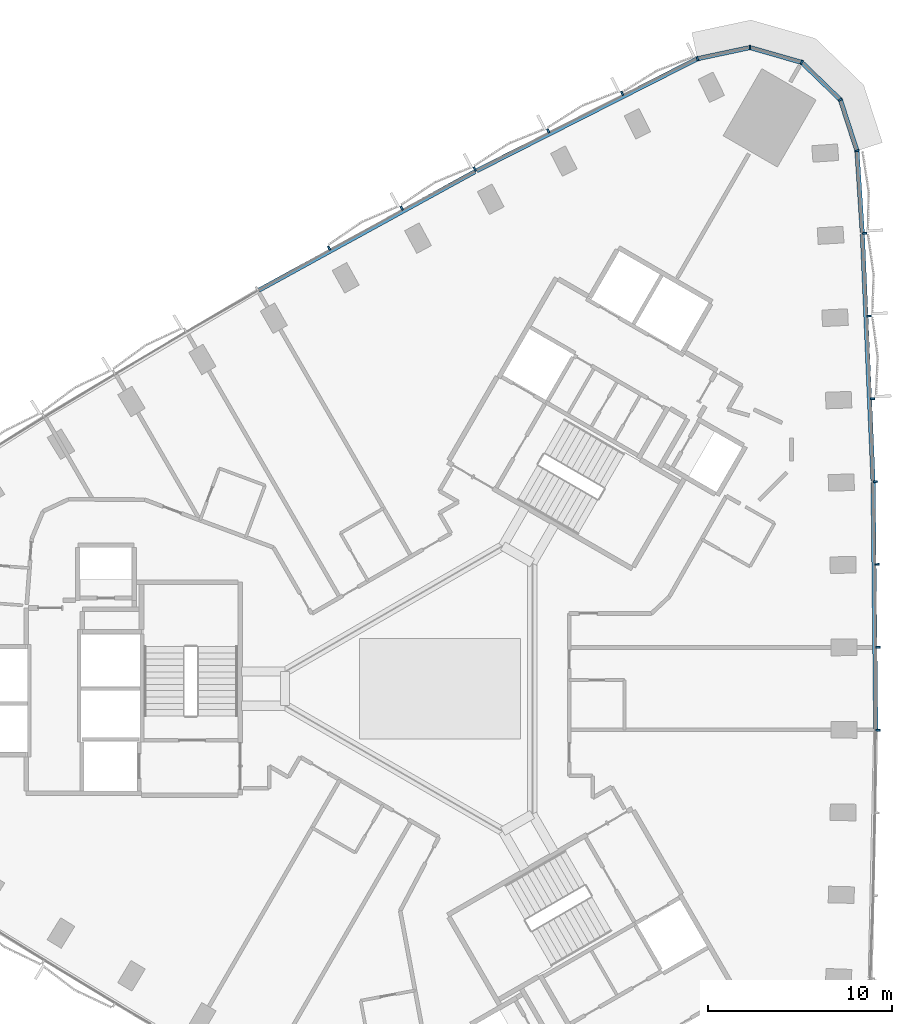
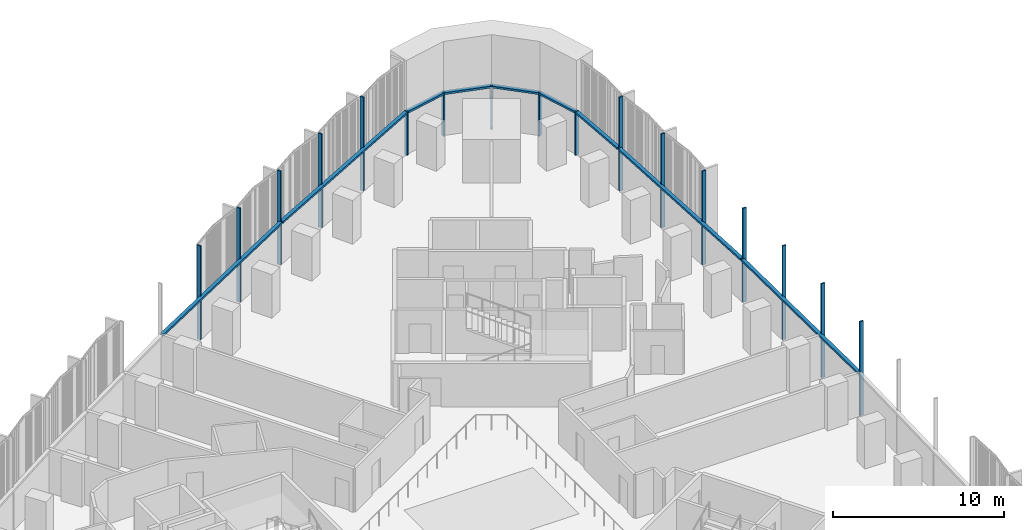
# One storey, part 5 of 15: 26 members, 2 elements without a shape of their own.
"""IFC4 building model written with IfcOpenShell, lengths in metres."""

from ifc_helpers import new_model, si_unit, direction, frame, origin, origin_2d, place, context, subcontext, project, spatial, rectangle, extrude, material, material_profile, profile_set, type_object, element, aggregate, save


model = new_model("IFC4")

# Units and contexts
model_context = context("Model", 3, precision=1e-05, world=origin(), true_north=direction((0.0, 1.0)))
body_context = subcontext(model_context, "Body", "Model", "MODEL_VIEW")
ifc_project = project(units=[si_unit("LENGTHUNIT", "METRE"), si_unit("AREAUNIT", "SQUARE_METRE"), si_unit("VOLUMEUNIT", "CUBIC_METRE"), si_unit("PLANEANGLEUNIT", "RADIAN"), si_unit("MASSUNIT", "GRAM", prefix="KILO")], contexts=[model_context])

# Site, building, storey
site_placement = place(None, origin())
site = spatial("IfcSite", under=ifc_project, at=site_placement, CompositionType="ELEMENT")
building_placement = place(site_placement, origin())
building = spatial("IfcBuilding", under=site, at=building_placement, Name="Tamra Quay Hotel Tower", CompositionType="ELEMENT")
storey_placement = place(building_placement, frame((0.0, 0.0, 35.0)))
storey = spatial("IfcBuildingStorey", under=building, at=storey_placement, Name="L06", CompositionType="ELEMENT", Elevation=35.0)

# Curtain wall, members
ifc_material = material(Name="Aluminium 6063 anodised dark grey", Category="aluminium")
curtain_wall_type_1 = type_object("IfcCurtainWallType", Name="CW1 CURTAIN WALL", PredefinedType="NOTDEFINED", material=ifc_material)
curtain_wall_1_placement = place(storey_placement, origin())
curtain_wall_1 = element("IfcCurtainWall", 1, at=curtain_wall_1_placement, inside=storey, type_object=curtain_wall_type_1, Name="CW1 east face L06", PredefinedType="NOTDEFINED")
ifc_material_profile_1 = material_profile(ifc_material, rectangle(XDim=0.239990234375, YDim=0.10009765625, at=origin_2d()), Name="MULLION 100X240")
ifc_profile_set_1 = profile_set([ifc_material_profile_1], Name="Aluminium 6063 anodised dark grey")
member_type_1 = type_object("IfcMemberType", Name="MULLION CW1 Z1", PredefinedType="MULLION", material=ifc_profile_set_1)
member_1_placement = place(storey_placement, frame((23.73828125, -2.2451171875, 0.0), z_axis=(0.0, 0.0, 1.0), x_axis=(0.99998532114, -0.005418256626, 0.0)))
member_1 = element("IfcMember", 2, at=member_1_placement, type_object=member_type_1, Name="CW1 mullion L06.E.7", PredefinedType="MULLION", context=body_context, shape_type="SweptSolid", body=[
    extrude(rectangle(XDim=0.239990234375, YDim=0.10009765625, at=origin_2d()), origin(), (0.0, 0.0, 1.0), 6.72509765625),
])
member_2_placement = place(storey_placement, frame((23.73828125, 2.2451171875, 0.0), z_axis=(0.0, 0.0, 1.0), x_axis=(0.99998532114, 0.005418256626, 0.0)))
member_2 = element("IfcMember", 3, at=member_2_placement, type_object=member_type_1, Name="CW1 mullion L06.E.8", PredefinedType="MULLION", context=body_context, shape_type="SweptSolid", body=[
    extrude(rectangle(XDim=0.239990234375, YDim=0.10009765625, at=origin_2d()), origin(), (0.0, 0.0, 1.0), 6.72509765625),
])
member_3_placement = place(storey_placement, frame((23.689697265625, 6.73486328125, 0.0), z_axis=(0.0, 0.0, 1.0), x_axis=(0.999868004854, 0.016247241904, 0.0)))
member_3 = element("IfcMember", 4, at=member_3_placement, type_object=member_type_1, Name="CW1 mullion L06.E.9", PredefinedType="MULLION", context=body_context, shape_type="SweptSolid", body=[
    extrude(rectangle(XDim=0.239990234375, YDim=0.10009765625, at=origin_2d()), origin(), (0.0, 0.0, 1.0), 6.72509765625),
])
member_4_placement = place(storey_placement, frame((23.59228515625, 11.224609375, 0.0), z_axis=(0.0, 0.0, 1.0), x_axis=(0.999633633589, 0.027066558645, 0.0)))
member_4 = element("IfcMember", 5, at=member_4_placement, type_object=member_type_1, Name="CW1 mullion L06.E.10", PredefinedType="MULLION", context=body_context, shape_type="SweptSolid", body=[
    extrude(rectangle(XDim=0.239990234375, YDim=0.10009765625, at=origin_2d()), origin(), (0.0, 0.0, 1.0), 6.72509765625),
])
member_5_placement = place(storey_placement, frame((23.446533203125, 15.71240234375, 0.0), z_axis=(0.0, 0.0, 1.0), x_axis=(0.999282264248, 0.037880817816, 0.0)))
member_5 = element("IfcMember", 6, at=member_5_placement, type_object=member_type_1, Name="CW1 mullion L06.E.11", PredefinedType="MULLION", context=body_context, shape_type="SweptSolid", body=[
    extrude(rectangle(XDim=0.239990234375, YDim=0.10009765625, at=origin_2d()), origin(), (0.0, 0.0, 1.0), 6.72509765625),
])
member_6_placement = place(storey_placement, frame((23.252197265625, 20.1982421875, 0.0), z_axis=(0.0, 0.0, 1.0), x_axis=(0.998814683341, 0.048674719753, 0.0)))
member_6 = element("IfcMember", 7, at=member_6_placement, type_object=member_type_1, Name="CW1 mullion L06.E.12", PredefinedType="MULLION", context=body_context, shape_type="SweptSolid", body=[
    extrude(rectangle(XDim=0.239990234375, YDim=0.10009765625, at=origin_2d()), origin(), (0.0, 0.0, 1.0), 6.72509765625),
])
member_7_placement = place(storey_placement, frame((23.009521484375, 24.682373046875, 0.0), z_axis=(0.0, 0.0, 1.0), x_axis=(0.998231966976, 0.05943854058, 0.0)))
member_7 = element("IfcMember", 8, at=member_7_placement, type_object=member_type_1, Name="CW1 mullion L06.E.13", PredefinedType="MULLION", context=body_context, shape_type="SweptSolid", body=[
    extrude(rectangle(XDim=0.239990234375, YDim=0.10009765625, at=origin_2d()), origin(), (0.0, 0.0, 1.0), 6.72509765625),
])
member_8_placement = place(storey_placement, frame((22.5986328125, 29.154052734375, 0.0), z_axis=(0.0, 0.0, 1.0), x_axis=(0.982094520957, 0.188388831692, 0.0)))
member_8 = element("IfcMember", 9, at=member_8_placement, type_object=member_type_1, Name="CW1 mullion L06.E.14", PredefinedType="MULLION", context=body_context, shape_type="SweptSolid", body=[
    extrude(rectangle(XDim=0.239990234375, YDim=0.10009765625, at=origin_2d()), origin(), (0.0, 0.0, 1.0), 3.125),
])
member_9_placement = place(storey_placement, frame((21.697998046875, 31.926025390625, 0.0), z_axis=(0.0, 0.0, 1.0), x_axis=(0.848039345356, 0.529933268183, 0.0)))
member_9 = element("IfcMember", 10, at=member_9_placement, type_object=member_type_1, Name="CW1 mullion L06.E.15", PredefinedType="MULLION", context=body_context, shape_type="SweptSolid", body=[
    extrude(rectangle(XDim=0.239990234375, YDim=0.10009765625, at=origin_2d()), origin(), (0.0, 0.0, 1.0), 3.125),
])
member_10_placement = place(storey_placement, frame((19.6015625, 33.95068359375, 0.0), z_axis=(0.0, 0.0, 1.0), x_axis=(0.5, 0.866025403784, 0.0)))
member_10 = element("IfcMember", 11, at=member_10_placement, type_object=member_type_1, Name="CW1 mullion L06.E.16", PredefinedType="MULLION", context=body_context, shape_type="SweptSolid", body=[
    extrude(rectangle(XDim=0.239990234375, YDim=0.10009765625, at=origin_2d()), origin(), (0.0, 0.0, 1.0), 3.125),
])
member_11_placement = place(storey_placement, frame((16.7998046875, 34.754150390625, 0.0), z_axis=(0.0, 0.0, 1.0), x_axis=(0.034915999879, 0.999390250579, 0.0)))
member_11 = element("IfcMember", 12, at=member_11_placement, type_object=member_type_1, Name="CW1 mullion L06.E.17", PredefinedType="MULLION", context=body_context, shape_type="SweptSolid", body=[
    extrude(rectangle(XDim=0.239990234375, YDim=0.10009765625, at=origin_2d()), origin(), (0.0, 0.0, 1.0), 3.125),
])

curtain_wall_type_2 = type_object("IfcCurtainWallType", Name="CW2 CURTAIN WALL", PredefinedType="NOTDEFINED", material=ifc_material)
curtain_wall_2_placement = place(storey_placement, origin())
curtain_wall_2 = element("IfcCurtainWall", 13, at=curtain_wall_2_placement, inside=storey, type_object=curtain_wall_type_2, Name="CW2 north-west face L06", PredefinedType="NOTDEFINED")
ifc_material_profile_2 = material_profile(ifc_material, rectangle(XDim=0.239990234375, YDim=0.10009765625, at=origin_2d()), Name="MULLION 100X240")
ifc_profile_set_2 = profile_set([ifc_material_profile_2], Name="Aluminium 6063 anodised dark grey")
member_type_2 = type_object("IfcMemberType", Name="MULLION CW2 Z1", PredefinedType="MULLION", material=ifc_profile_set_2)
member_12_placement = place(storey_placement, frame((13.948974609375, 34.148193359375, 0.0), z_axis=(0.0, 0.0, 1.0), x_axis=(-0.327897746444, 0.944713219912, 0.0)))
member_12 = element("IfcMember", 14, at=member_12_placement, type_object=member_type_2, Name="CW2 mullion L06.NW.1", PredefinedType="MULLION", context=body_context, shape_type="SweptSolid", body=[
    extrude(rectangle(XDim=0.239990234375, YDim=0.10009765625, at=origin_2d()), origin(), (0.0, 0.0, 1.0), 3.125),
])
member_13_placement = place(storey_placement, frame((9.870849609375, 32.26806640625, 0.0), z_axis=(0.0, 0.0, 1.0), x_axis=(-0.447640697382, 0.894213512561, 0.0)))
member_13 = element("IfcMember", 15, at=member_13_placement, type_object=member_type_2, Name="CW2 mullion L06.NW.2", PredefinedType="MULLION", context=body_context, shape_type="SweptSolid", body=[
    extrude(rectangle(XDim=0.239990234375, YDim=0.10009765625, at=origin_2d()), origin(), (0.0, 0.0, 1.0), 6.72509765625),
])
member_14_placement = place(storey_placement, frame((5.865966796875, 30.236083984375, 0.0), z_axis=(0.0, 0.0, 1.0), x_axis=(-0.457253797843, 0.889336249322, 0.0)))
member_14 = element("IfcMember", 16, at=member_14_placement, type_object=member_type_2, Name="CW2 mullion L06.NW.3", PredefinedType="MULLION", context=body_context, shape_type="SweptSolid", body=[
    extrude(rectangle(XDim=0.239990234375, YDim=0.10009765625, at=origin_2d()), origin(), (0.0, 0.0, 1.0), 6.72509765625),
])
member_15_placement = place(storey_placement, frame((1.884033203125, 28.16162109375, 0.0), z_axis=(0.0, 0.0, 1.0), x_axis=(-0.46683538158, 0.884344235298, 0.0)))
member_15 = element("IfcMember", 17, at=member_15_placement, type_object=member_type_2, Name="CW2 mullion L06.NW.4", PredefinedType="MULLION", context=body_context, shape_type="SweptSolid", body=[
    extrude(rectangle(XDim=0.239990234375, YDim=0.10009765625, at=origin_2d()), origin(), (0.0, 0.0, 1.0), 6.72509765625),
])
member_16_placement = place(storey_placement, frame((-2.075439453125, 26.0439453125, 0.0), z_axis=(0.0, 0.0, 1.0), x_axis=(-0.476376489415, 0.879241400488, 0.0)))
member_16 = element("IfcMember", 18, at=member_16_placement, type_object=member_type_2, Name="CW2 mullion L06.NW.5", PredefinedType="MULLION", context=body_context, shape_type="SweptSolid", body=[
    extrude(rectangle(XDim=0.239990234375, YDim=0.10009765625, at=origin_2d()), origin(), (0.0, 0.0, 1.0), 6.72509765625),
])
member_17_placement = place(storey_placement, frame((-6.01220703125, 23.88330078125, 0.0), z_axis=(0.0, 0.0, 1.0), x_axis=(-0.485863478197, 0.874034713587, 0.0)))
member_17 = element("IfcMember", 19, at=member_17_placement, type_object=member_type_2, Name="CW2 mullion L06.NW.6", PredefinedType="MULLION", context=body_context, shape_type="SweptSolid", body=[
    extrude(rectangle(XDim=0.239990234375, YDim=0.10009765625, at=origin_2d()), origin(), (0.0, 0.0, 1.0), 6.72509765625),
])

# Member
ifc_material_profile_3 = material_profile(ifc_material, rectangle(XDim=0.239990234375, YDim=0.139892578125, at=origin_2d()), Name="TRANSOM 240X140")
ifc_profile_set_3 = profile_set([ifc_material_profile_3], Name="Aluminium 6063 anodised dark grey")
member_type_3 = type_object("IfcMemberType", Name="TRANSOM CW1 Z1", PredefinedType="USERDEFINED", material=ifc_profile_set_3)
member_18_placement = place(storey_placement, frame((23.618408203125, -2.1943359375, 3.054931640625), z_axis=(-0.010831206208, 0.999941340766, 0.0), x_axis=(-0.999941340766, -0.010831206208, 0.0)))
member_18 = element("IfcMember", 20, at=member_18_placement, type_object=member_type_3, Name="CW1 transom L06.E.7", ObjectType="TRANSOM", PredefinedType="USERDEFINED", context=body_context, shape_type="SweptSolid", body=[
    extrude(rectangle(XDim=0.239990234375, YDim=0.139892578125, at=origin_2d()), origin(), (0.0, 0.0, 1.0), 13.366455078125),
])

member_19_placement = place(storey_placement, frame((23.470703125, 11.271484375, 3.054931640625), z_axis=(-0.043269977555, 0.999063415926, 0.0), x_axis=(-0.999063415926, -0.043269977555, 0.0)))
member_19 = element("IfcMember", 21, at=member_19_placement, type_object=member_type_3, Name="CW1 transom L06.E.10", ObjectType="TRANSOM", PredefinedType="USERDEFINED", context=body_context, shape_type="SweptSolid", body=[
    extrude(rectangle(XDim=0.239990234375, YDim=0.139892578125, at=origin_2d()), origin(), (0.0, 0.0, 1.0), 13.366455078125),
])

member_20_placement = place(storey_placement, frame((22.886474609375, 24.725341796875, 3.054931640625), z_axis=(-0.064816582932, 0.997897194393, 0.0), x_axis=(-0.997897194393, -0.064816582932, 0.0)))
member_20 = element("IfcMember", 22, at=member_20_placement, type_object=member_type_3, Name="CW1 transom L06.E.13", ObjectType="TRANSOM", PredefinedType="USERDEFINED", context=body_context, shape_type="SweptSolid", body=[
    extrude(rectangle(XDim=0.239990234375, YDim=0.139892578125, at=origin_2d()), origin(), (0.0, 0.0, 1.0), 4.38818359375),
])

member_21_placement = place(storey_placement, frame((22.583251953125, 29.20166015625, 3.054931640625), z_axis=(-0.309062535631, 0.951041717839, 0.0), x_axis=(-0.951041717839, -0.309062535631, 0.0)))
member_21 = element("IfcMember", 23, at=member_21_placement, type_object=member_type_3, Name="CW1 transom L06.E.14", ObjectType="TRANSOM", PredefinedType="USERDEFINED", context=body_context, shape_type="SweptSolid", body=[
    extrude(rectangle(XDim=0.239990234375, YDim=0.139892578125, at=origin_2d()), origin(), (0.0, 0.0, 1.0), 2.814453125),
])

member_22_placement = place(storey_placement, frame((21.662109375, 31.960693359375, 3.054931640625), z_axis=(-0.71931626538, 0.694682740796, 0.0), x_axis=(-0.694682740796, -0.71931626538, 0.0)))
member_22 = element("IfcMember", 24, at=member_22_placement, type_object=member_type_3, Name="CW1 transom L06.E.15", ObjectType="TRANSOM", PredefinedType="USERDEFINED", context=body_context, shape_type="SweptSolid", body=[
    extrude(rectangle(XDim=0.239990234375, YDim=0.139892578125, at=origin_2d()), origin(), (0.0, 0.0, 1.0), 2.814697265625),
])

member_23_placement = place(storey_placement, frame((19.553466796875, 33.96435546875, 3.054931640625), z_axis=(-0.961255085045, 0.275660409698, 0.0), x_axis=(-0.275660409698, -0.961255085045, 0.0)))
member_23 = element("IfcMember", 25, at=member_23_placement, type_object=member_type_3, Name="CW1 transom L06.E.16", ObjectType="TRANSOM", PredefinedType="USERDEFINED", context=body_context, shape_type="SweptSolid", body=[
    extrude(rectangle(XDim=0.239990234375, YDim=0.139892578125, at=origin_2d()), origin(), (0.0, 0.0, 1.0), 2.814697265625),
])

member_24_placement = place(storey_placement, frame((16.7509765625, 34.74365234375, 3.054931640625), z_axis=(-0.97816524345, -0.207828671039, 0.0), x_axis=(0.207828671039, -0.97816524345, 0.0)))
member_24 = element("IfcMember", 26, at=member_24_placement, type_object=member_type_3, Name="CW1 transom L06.E.17", ObjectType="TRANSOM", PredefinedType="USERDEFINED", context=body_context, shape_type="SweptSolid", body=[
    extrude(rectangle(XDim=0.239990234375, YDim=0.139892578125, at=origin_2d()), origin(), (0.0, 0.0, 1.0), 2.814697265625),
])

aggregate(curtain_wall_1, [member_1, member_18, member_2, member_3, member_4, member_19, member_5, member_6, member_7, member_20, member_8, member_21, member_9, member_22, member_10, member_23, member_11, member_24])

ifc_material_profile_4 = material_profile(ifc_material, rectangle(XDim=0.239990234375, YDim=0.139892578125, at=origin_2d()), Name="TRANSOM 240X140")
ifc_profile_set_4 = profile_set([ifc_material_profile_4], Name="Aluminium 6063 anodised dark grey")
member_type_4 = type_object("IfcMemberType", Name="TRANSOM CW2 Z1", PredefinedType="USERDEFINED", material=ifc_profile_set_4)
member_25_placement = place(storey_placement, frame((13.904052734375, 34.1259765625, 3.054931640625), z_axis=(-0.891785159734, -0.452459090834, 0.0), x_axis=(0.452459090834, -0.891785159734, 0.0)))
member_25 = element("IfcMember", 27, at=member_25_placement, type_object=member_type_4, Name="CW2 transom L06.NW.1", ObjectType="TRANSOM", PredefinedType="USERDEFINED", context=body_context, shape_type="SweptSolid", body=[
    extrude(rectangle(XDim=0.239990234375, YDim=0.139892578125, at=origin_2d()), origin(), (0.0, 0.0, 1.0), 13.365966796875),
])

member_26_placement = place(storey_placement, frame((1.89599609375, 28.03173828125, 3.054931640625), z_axis=(-0.876657857412, -0.481114332606, 0.0), x_axis=(0.481114332606, -0.876657857412, 0.0)))
member_26 = element("IfcMember", 28, at=member_26_placement, type_object=member_type_4, Name="CW2 transom L06.NW.4", ObjectType="TRANSOM", PredefinedType="USERDEFINED", context=body_context, shape_type="SweptSolid", body=[
    extrude(rectangle(XDim=0.239990234375, YDim=0.139892578125, at=origin_2d()), origin(), (0.0, 0.0, 1.0), 13.36669921875),
])

aggregate(curtain_wall_2, [member_12, member_25, member_13, member_14, member_15, member_26, member_16, member_17])

save(model, "model.ifc")
